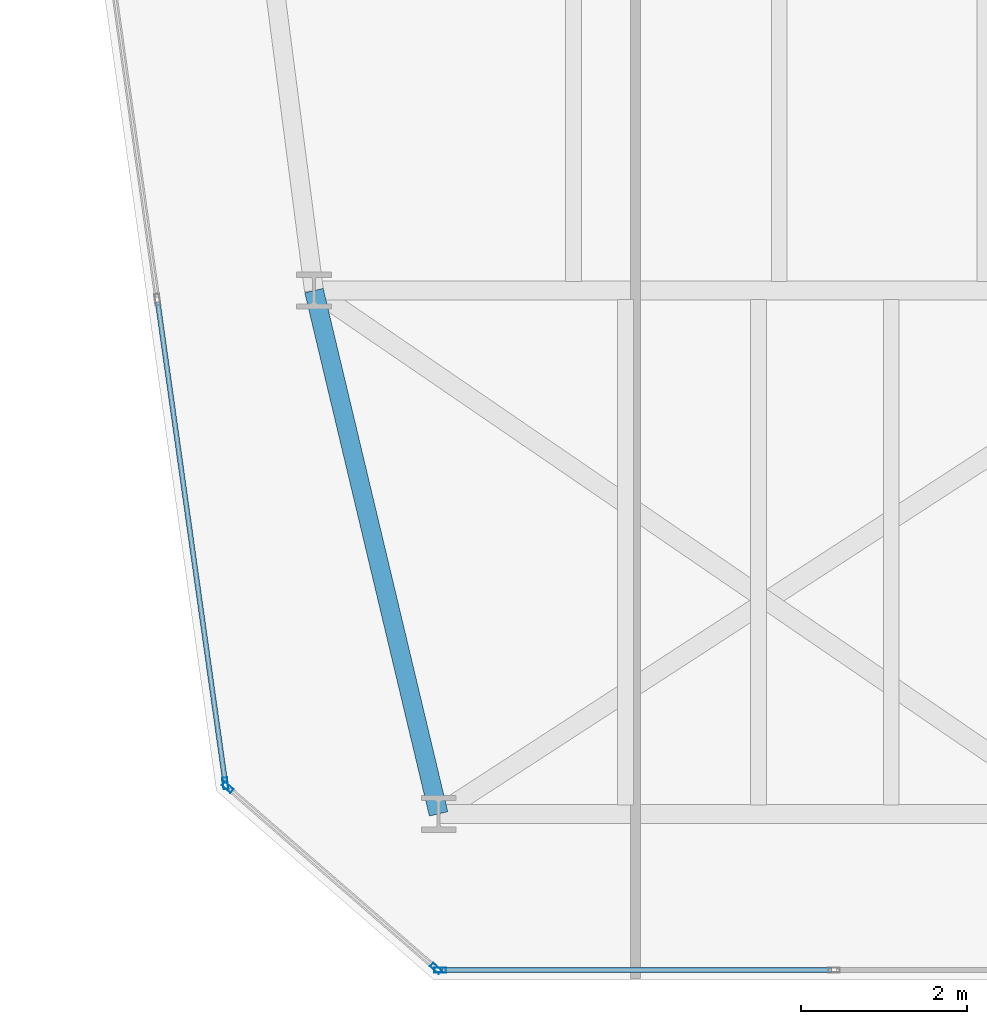
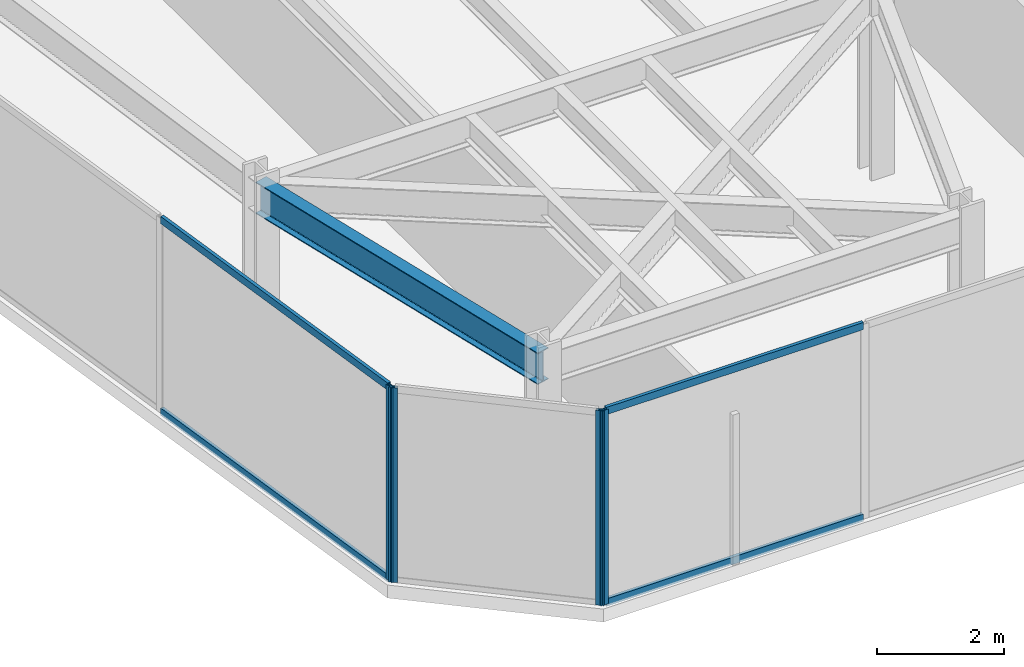
# One storey, part 2 of 26: 8 members, 1 beam, 3 elements without a shape of their own.
"""IFC4 building model written with IfcOpenShell, lengths in metres."""

from ifc_helpers import new_model, si_unit, direction, frame, origin, origin_2d, place, context, subcontext, project, spatial, hollow_rectangle, i_section, extrude, material, layer, layer_set, material_profile, profile_set, type_object, element, aggregate, save


model = new_model("IFC4")

# Units and contexts
model_context = context("Model", 3, precision=1e-05, world=origin(), true_north=direction((0.0, 1.0)))
body_context = subcontext(model_context, "Body", "Model", "MODEL_VIEW")
ifc_project = project(units=[si_unit("LENGTHUNIT", "METRE"), si_unit("AREAUNIT", "SQUARE_METRE"), si_unit("VOLUMEUNIT", "CUBIC_METRE"), si_unit("PLANEANGLEUNIT", "RADIAN"), si_unit("MASSUNIT", "GRAM", prefix="KILO")], contexts=[model_context])

# Site, building, storey
site_placement = place(None, origin())
site = spatial("IfcSite", under=ifc_project, at=site_placement, CompositionType="ELEMENT")
building_placement = place(site_placement, origin())
building = spatial("IfcBuilding", under=site, at=building_placement, Name="Kravanh Interchange Tower", CompositionType="ELEMENT")
storey_placement = place(building_placement, frame((0.0, 0.0, 128.0)))
storey = spatial("IfcBuildingStorey", under=building, at=storey_placement, Name="L30", CompositionType="ELEMENT", Elevation=128.0)

# Curtain wall, member
ifc_material_1 = material(Name="Anodised Bronze Aluminium", Category="aluminium")
ifc_layer = layer(ifc_material_1, 0.179931640625)
ifc_layer_set = layer_set([ifc_layer], Name="Unitised Curtain Wall System CW-Z2 Mid Office")
curtain_wall_type = type_object("IfcCurtainWallType", Name="Unitised Curtain Wall System CW-Z2 Mid Office", PredefinedType="NOTDEFINED", material=ifc_layer_set)
curtain_wall_1_placement = place(storey_placement, origin())
curtain_wall_1 = element("IfcCurtainWall", 1, at=curtain_wall_1_placement, inside=storey, type_object=curtain_wall_type, Name="L30 Unitised Curtain Wall CW-L30-01", PredefinedType="NOTDEFINED")
ifc_material_2 = material(Name="Anodised Bronze Aluminium", Category="aluminium")
ifc_material_profile_1 = material_profile(ifc_material_2, hollow_rectangle(XDim=0.06005859375, YDim=0.139892578125, WallThickness=0.00390625, at=origin_2d()), Name="ALU60X140X4")
ifc_profile_set_1 = profile_set([ifc_material_profile_1], Name="Anodised Bronze Aluminium")
member_type_1 = type_object("IfcMemberType", Name="Curtain Wall Mullion ALU60X140X4 Bronze", PredefinedType="MULLION", material=ifc_profile_set_1)
member_1_placement = place(storey_placement, frame((14.93310546875, 8.568359375, 0.0), z_axis=(0.0, 0.0, 1.0), x_axis=(-0.990268103846, -0.13917285118, 0.0)))
member_1 = element("IfcMember", 2, at=member_1_placement, type_object=member_type_1, Name="CW-Z2 mullion 1", PredefinedType="MULLION", context=body_context, shape_type="SweptSolid", body=[
    extrude(hollow_rectangle(XDim=0.06005859375, YDim=0.139892578125, WallThickness=0.00390625, at=origin_2d()), origin(), (0.0, 0.0, 1.0), 3.75),
])

curtain_wall_2_placement = place(storey_placement, origin())
curtain_wall_2 = element("IfcCurtainWall", 3, at=curtain_wall_2_placement, inside=storey, type_object=curtain_wall_type, Name="L30 Unitised Curtain Wall CW-L30-06", PredefinedType="NOTDEFINED")
member_2_placement = place(storey_placement, frame((17.519775390625, 6.320068359375, 0.0), z_axis=(0.0, 0.0, 1.0), x_axis=(0.0, -1.0, 0.0)))
member_2 = element("IfcMember", 4, at=member_2_placement, type_object=member_type_1, Name="CW-Z2 mullion 3", PredefinedType="MULLION", context=body_context, shape_type="SweptSolid", body=[
    extrude(hollow_rectangle(XDim=0.06005859375, YDim=0.139892578125, WallThickness=0.00390625, at=origin_2d()), origin(), (0.0, 0.0, 1.0), 3.75),
])

# Curtain wall, members
curtain_wall_3_placement = place(storey_placement, origin())
curtain_wall_3 = element("IfcCurtainWall", 5, at=curtain_wall_3_placement, inside=storey, type_object=curtain_wall_type, Name="L30 Unitised Curtain Wall CW-L30-07", PredefinedType="NOTDEFINED")
member_3_placement = place(storey_placement, frame((17.467041015625, 6.339599609375, 0.0), z_axis=(0.0, 0.0, 1.0), x_axis=(-0.656047665617, -0.754719458103, 0.0)))
member_3 = element("IfcMember", 6, at=member_3_placement, type_object=member_type_1, Name="CW-Z2 mullion 1", PredefinedType="MULLION", context=body_context, shape_type="SweptSolid", body=[
    extrude(hollow_rectangle(XDim=0.06005859375, YDim=0.139892578125, WallThickness=0.00390625, at=origin_2d()), origin(), (0.0, 0.0, 1.0), 3.75),
])
member_4_placement = place(storey_placement, frame((14.9599609375, 8.51904296875, 0.0), z_axis=(0.0, 0.0, 1.0), x_axis=(-0.656047665617, -0.754719458103, 0.0)))
member_4 = element("IfcMember", 7, at=member_4_placement, type_object=member_type_1, Name="CW-Z2 mullion 2", PredefinedType="MULLION", context=body_context, shape_type="SweptSolid", body=[
    extrude(hollow_rectangle(XDim=0.06005859375, YDim=0.139892578125, WallThickness=0.00390625, at=origin_2d()), origin(), (0.0, 0.0, 1.0), 3.75),
])
aggregate(curtain_wall_3, [member_3, member_4])

# Member
ifc_material_3 = material(Name="Anodised Bronze Aluminium", Category="aluminium")
ifc_material_profile_2 = material_profile(ifc_material_3, hollow_rectangle(XDim=0.06005859375, YDim=0.139892578125, WallThickness=0.00390625, at=origin_2d()), Name="ALU60X140X4")
ifc_profile_set_2 = profile_set([ifc_material_profile_2], Name="Anodised Bronze Aluminium")
member_type_2 = type_object("IfcMemberType", Name="Curtain Wall Transom ALU60X140X4 Bronze", PredefinedType="USERDEFINED", material=ifc_profile_set_2)
member_5_placement = place(storey_placement, frame((14.928955078125, 8.59814453125, 0.030029296875), z_axis=(-0.139148132783, 0.990271577469, 0.0), x_axis=(-0.990271577469, -0.139148132783, 0.0)))
member_5 = element("IfcMember", 8, at=member_5_placement, type_object=member_type_2, Name="CW-Z2 transom 1.1", ObjectType="TRANSOM", PredefinedType="USERDEFINED", context=body_context, shape_type="SweptSolid", body=[
    extrude(hollow_rectangle(XDim=0.06005859375, YDim=0.139892578125, WallThickness=0.00390625, at=origin_2d()), origin(), (0.0, 0.0, 1.0), 5.81982421875),
])

member_6_placement = place(storey_placement, frame((14.928955078125, 8.59814453125, 3.719970703125), z_axis=(-0.139148132783, 0.990271577469, 0.0), x_axis=(-0.990271577469, -0.139148132783, 0.0)))
member_6 = element("IfcMember", 9, at=member_6_placement, type_object=member_type_2, Name="CW-Z2 transom 1.2", ObjectType="TRANSOM", PredefinedType="USERDEFINED", context=body_context, shape_type="SweptSolid", body=[
    extrude(hollow_rectangle(XDim=0.06005859375, YDim=0.139892578125, WallThickness=0.00390625, at=origin_2d()), origin(), (0.0, 0.0, 1.0), 5.81982421875),
])

aggregate(curtain_wall_1, [member_1, member_5, member_6])

member_7_placement = place(storey_placement, frame((22.232177734375, 6.320068359375, 0.030029296875), z_axis=(-1.0, 0.0, 0.0), x_axis=(0.0, -1.0, 0.0)))
member_7 = element("IfcMember", 10, at=member_7_placement, type_object=member_type_2, Name="CW-Z2 transom 2.1", ObjectType="TRANSOM", PredefinedType="USERDEFINED", context=body_context, shape_type="SweptSolid", body=[
    extrude(hollow_rectangle(XDim=0.06005859375, YDim=0.139892578125, WallThickness=0.00390625, at=origin_2d()), origin(), (0.0, 0.0, 1.0), 4.682373046875),
])

member_8_placement = place(storey_placement, frame((22.232177734375, 6.320068359375, 3.719970703125), z_axis=(-1.0, 0.0, 0.0), x_axis=(0.0, -1.0, 0.0)))
member_8 = element("IfcMember", 11, at=member_8_placement, type_object=member_type_2, Name="CW-Z2 transom 2.2", ObjectType="TRANSOM", PredefinedType="USERDEFINED", context=body_context, shape_type="SweptSolid", body=[
    extrude(hollow_rectangle(XDim=0.06005859375, YDim=0.139892578125, WallThickness=0.00390625, at=origin_2d()), origin(), (0.0, 0.0, 1.0), 4.682373046875),
])

aggregate(curtain_wall_2, [member_2, member_7, member_8])

# Beam
ifc_material_4 = material(Name="Structural Steel S355", Category="steel")
ifc_material_profile_3 = material_profile(ifc_material_4, i_section(OverallWidth=0.22802734375, OverallDepth=0.60791015625, WebThickness=0.01123046875, FlangeThickness=0.017333984375, FilletRadius=0.02197265625, at=origin_2d()), Name="W24X76")
ifc_profile_set_3 = profile_set([ifc_material_profile_3], Name="Structural Steel S355")
beam_type = type_object("IfcBeamType", Name="Floor Spandrel W24X76 Structural Steel S355", PredefinedType="SPANDREL", material=ifc_profile_set_3)
beam_placement = place(storey_placement, frame((17.5, 8.199951171875, 3.446044921875), z_axis=(-0.231618828452, 0.972806619173, 0.0), x_axis=(-0.972806619173, -0.231618828452, 0.0)))
element("IfcBeam", 12, at=beam_placement, inside=storey, type_object=beam_type, Name="L30 Perimeter Spandrel 34", PredefinedType="SPANDREL", context=body_context, shape_type="SweptSolid", body=[
    extrude(i_section(OverallWidth=0.22802734375, OverallDepth=0.60791015625, WebThickness=0.01123046875, FlangeThickness=0.017333984375, FilletRadius=0.02197265625, at=origin_2d()), origin(), (0.0, 0.0, 1.0), 6.47607421875),
])

save(model, "model.ifc")
